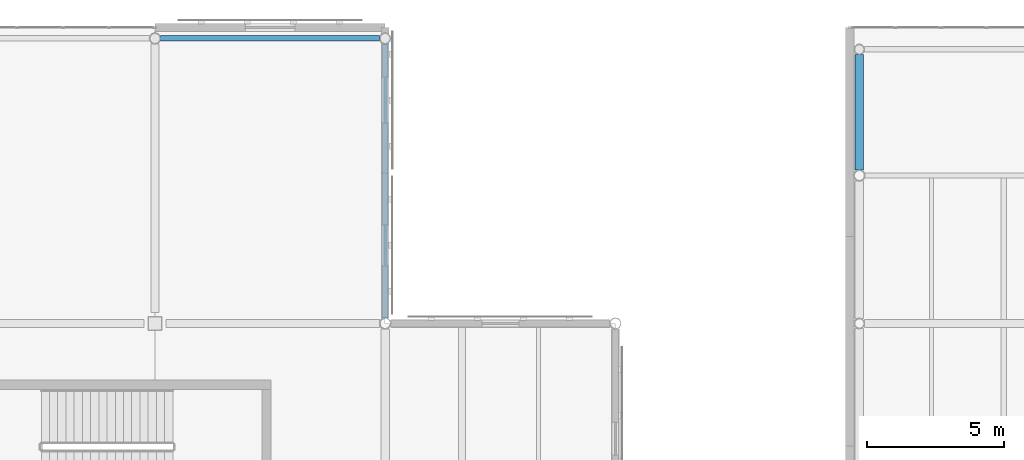
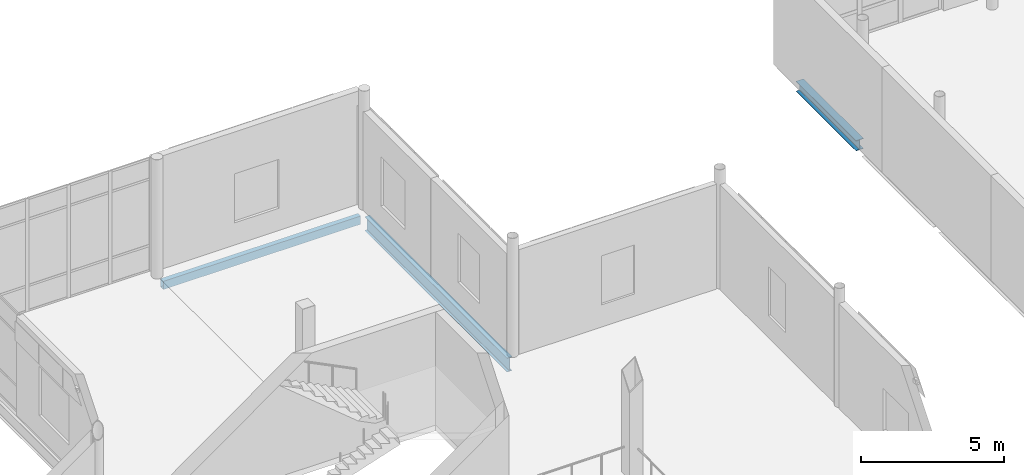
# One storey, part 35 of 104: 3 beams.
"""IFC4 building model written with IfcOpenShell, lengths in metres."""

from ifc_helpers import new_model, si_unit, direction, frame, origin, origin_2d, place, context, subcontext, project, spatial, hollow_rectangle, i_section, extrude, material, material_profile, profile_set, type_object, element, save


model = new_model("IFC4")

# Units and contexts
model_context = context("Model", 3, precision=1e-05, world=origin(), true_north=direction((0.0, 1.0)))
body_context = subcontext(model_context, "Body", "Model", "MODEL_VIEW")
ifc_project = project(units=[si_unit("LENGTHUNIT", "METRE"), si_unit("AREAUNIT", "SQUARE_METRE"), si_unit("VOLUMEUNIT", "CUBIC_METRE"), si_unit("PLANEANGLEUNIT", "RADIAN"), si_unit("MASSUNIT", "GRAM", prefix="KILO"), si_unit("THERMODYNAMICTEMPERATUREUNIT", "KELVIN")], contexts=[model_context])

# Site, building, storey
site_placement = place(None, origin())
site = spatial("IfcSite", under=ifc_project, at=site_placement, CompositionType="ELEMENT")
building_placement = place(site_placement, origin())
building = spatial("IfcBuilding", under=site, at=building_placement, Name="Lustrewick Department Store", CompositionType="ELEMENT")
storey_placement = place(building_placement, frame((0.0, 0.0, 11.39990234375)))
storey = spatial("IfcBuildingStorey", under=building, at=storey_placement, Name="L03", CompositionType="ELEMENT", Elevation=11.39990234375)

# Beams
ifc_material_1 = material(Name="Structural steel Q355B", Category="steel")
ifc_material_profile_1 = material_profile(ifc_material_1, i_section(OverallWidth=0.199951171875, OverallDepth=0.60009765625, WebThickness=0.010986328125, FlangeThickness=0.01708984375, FilletRadius=0.01806640625, at=origin_2d()), Name="HN 600x200x11x17")
ifc_profile_set_1 = profile_set([ifc_material_profile_1], Name="Structural steel Q355B")
beam_type_1 = type_object("IfcBeamType", Name="G14", PredefinedType="BEAM", material=ifc_profile_set_1)
beam_1_placement = place(storey_placement, frame((92.39990234375, 101.0029296875, -0.554931640625), z_axis=(0.0, 1.0, 0.0), x_axis=(-1.0, 0.0, 0.0)))
element("IfcBeam", 1, at=beam_1_placement, inside=storey, type_object=beam_type_1, Name="L03 V2 Girder G14", PredefinedType="BEAM", context=body_context, shape_type="SweptSolid", body=[
    extrude(i_section(OverallWidth=0.199951171875, OverallDepth=0.60009765625, WebThickness=0.010986328125, FlangeThickness=0.01708984375, FilletRadius=0.01806640625, at=origin_2d()), origin(), (0.0, 0.0, 1.0), 9.994140625),
])
ifc_material_profile_2 = material_profile(ifc_material_1, i_section(OverallWidth=0.300048828125, OverallDepth=0.43994140625, WebThickness=0.010986328125, FlangeThickness=0.01806640625, FilletRadius=0.02001953125, at=origin_2d()), Name="HM 440x300x11x18")
ifc_profile_set_2 = profile_set([ifc_material_profile_2], Name="Structural steel Q355B")
beam_type_2 = type_object("IfcBeamType", Name="SP02", PredefinedType="SPANDREL", material=ifc_profile_set_2)
beam_2_placement = place(storey_placement, frame((109.699951171875, 106.403076171875, -0.474853515625), z_axis=(0.0, 1.0, 0.0), x_axis=(-1.0, 0.0, 0.0)))
element("IfcBeam", 2, at=beam_2_placement, inside=storey, type_object=beam_type_2, Name="L03 V4 Girder SP02", PredefinedType="SPANDREL", context=body_context, shape_type="SweptSolid", body=[
    extrude(i_section(OverallWidth=0.300048828125, OverallDepth=0.43994140625, WebThickness=0.010986328125, FlangeThickness=0.01806640625, FilletRadius=0.02001953125, at=origin_2d()), origin(), (0.0, 0.0, 1.0), 4.20849609375),
])
ifc_material_2 = material(Name="Structural steel Q355C", Category="steel")
ifc_material_profile_3 = material_profile(ifc_material_2, hollow_rectangle(XDim=0.199951171875, YDim=0.35009765625, WallThickness=0.011962890625, at=origin_2d()), Name="RHS 350x200x12")
ifc_profile_set_3 = profile_set([ifc_material_profile_3], Name="Structural steel Q355C")
beam_type_3 = type_object("IfcBeamType", Name="SP03", PredefinedType="SPANDREL", material=ifc_profile_set_3)
beam_3_placement = place(storey_placement, frame((84.202880859375, 111.199951171875, -0.429931640625), z_axis=(1.0, 0.0, 0.0), x_axis=(0.0, 1.0, 0.0)))
element("IfcBeam", 3, at=beam_3_placement, inside=storey, type_object=beam_type_3, Name="L03 V2 Girder SP03", PredefinedType="SPANDREL", context=body_context, shape_type="SweptSolid", body=[
    extrude(hollow_rectangle(XDim=0.199951171875, YDim=0.35009765625, WallThickness=0.011962890625, at=origin_2d()), origin(), (0.0, 0.0, 1.0), 7.994140625),
])

save(model, "model.ifc")
